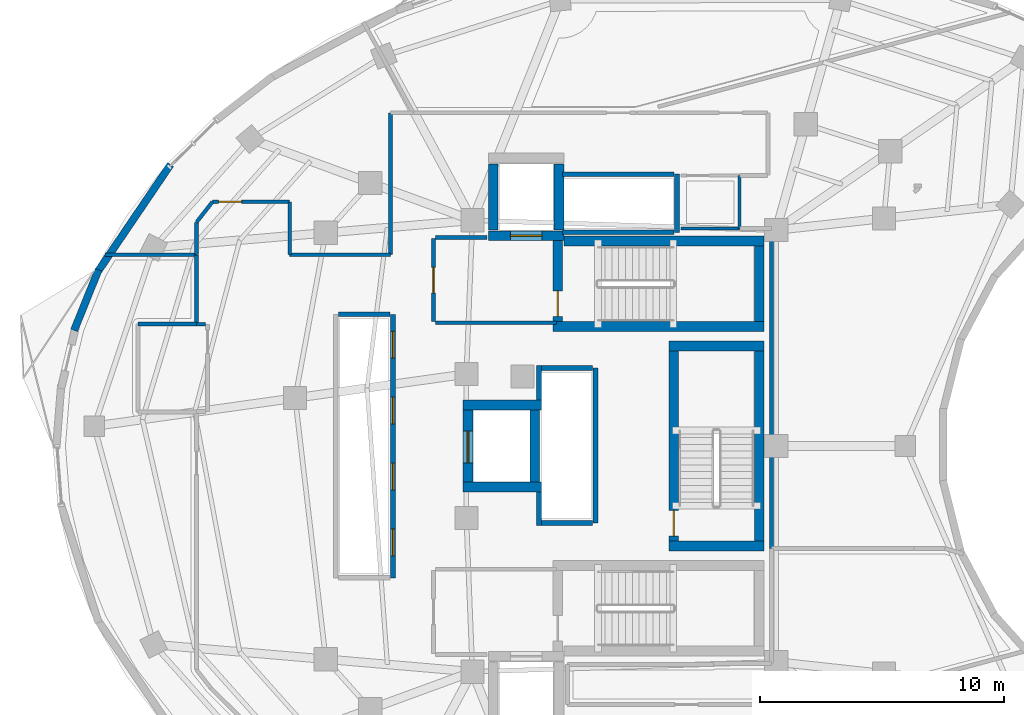
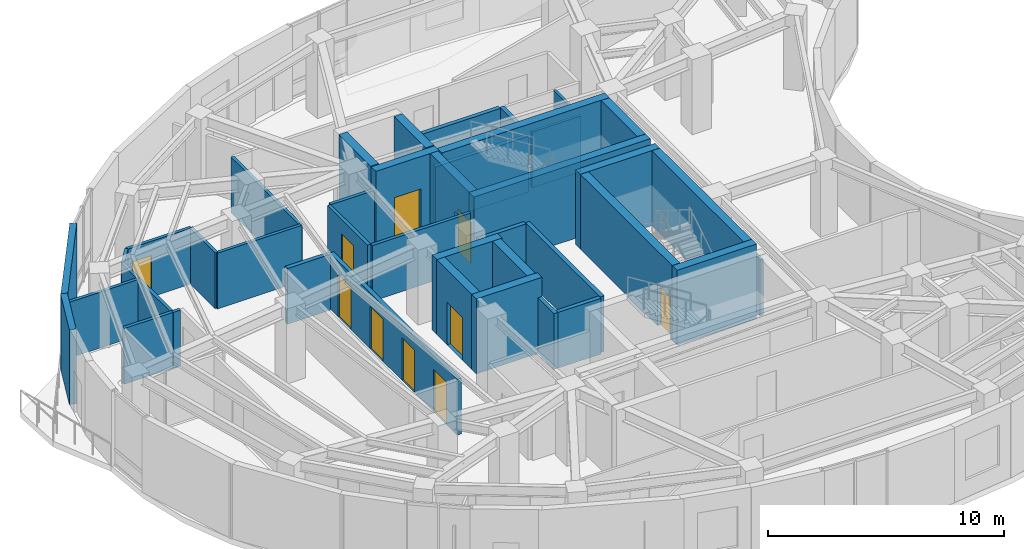
# One storey, part 8 of 13: 43 walls, 10 doors, 10 openings.
"""IFC4 building model written with IfcOpenShell, lengths in metres."""

from ifc_helpers import new_model, si_unit, direction, frame, frame_2d, origin, place, context, subcontext, project, spatial, rectangle, extrude, material, layer, layer_set, type_object, element, fill, save


model = new_model("IFC4")

# Units and contexts
model_context = context("Model", 3, precision=1e-05, world=origin(), true_north=direction((0.0, 1.0)))
body_context = subcontext(model_context, "Body", "Model", "MODEL_VIEW")
ifc_project = project(units=[si_unit("LENGTHUNIT", "METRE"), si_unit("AREAUNIT", "SQUARE_METRE"), si_unit("VOLUMEUNIT", "CUBIC_METRE"), si_unit("PLANEANGLEUNIT", "RADIAN"), si_unit("MASSUNIT", "GRAM", prefix="KILO")], contexts=[model_context])

# Site, building, storey
site_placement = place(None, origin())
site = spatial("IfcSite", under=ifc_project, at=site_placement, CompositionType="ELEMENT")
building_placement = place(site_placement, origin())
building = spatial("IfcBuilding", under=site, at=building_placement, Name="Korentha Bioscience Tower", CompositionType="ELEMENT")
storey_placement = place(building_placement, frame((0.0, 0.0, 273.0)))
storey = spatial("IfcBuildingStorey", under=building, at=storey_placement, Name="L63", CompositionType="ELEMENT", Elevation=273.0)

# Wall, opening, door
ifc_material_1 = material(Name="Double-Stud Acoustic Gypsum", Category="gypsum")
ifc_layer_1 = layer(ifc_material_1, 0.14990234375, Name="Double-Stud Acoustic Gypsum")
ifc_layer_set_1 = layer_set([ifc_layer_1], Name="Double-Stud Acoustic Gypsum (IW-L150)")
wall_type_1 = type_object("IfcWallType", Name="Acoustic Laboratory Partition Wall 150", PredefinedType="PARTITIONING", material=ifc_layer_set_1)
wall_1_placement = place(storey_placement, frame((17.60009765625, 37.010009765625, 0.0), z_axis=(0.0, 0.0, 1.0), x_axis=(-1.0, 0.0, 0.0)))
wall_1 = element("IfcWall", 1, at=wall_1_placement, inside=storey, type_object=wall_type_1, Name="L63 Sky-Garden Botanical Lounge 08 Entrance Wall", PredefinedType="PARTITIONING", context=body_context, shape_type="SweptSolid", body=[
    extrude(rectangle(XDim=3.1474609375, YDim=0.14990234375, at=frame_2d((1.57373046875, 0.0))), origin(), (0.0, 0.0, 1.0), 2.889892578125),
])
opening_1_placement = place(wall_1_placement, frame((1.957275390625, 0.0, 0.0)))
opening_1 = element("IfcOpeningElement", 2, at=opening_1_placement, cuts=wall_1, Name="Opening ID-10L", PredefinedType="OPENING", context=body_context, shape_type="SweptSolid", body=[
    extrude(rectangle(XDim=0.949951171875, YDim=2.14990234375, at=frame_2d((0.47509765625, 1.074951171875))), frame((0.0, 0.08984375, 0.0), z_axis=(0.0, -1.0, 0.0), x_axis=(1.0, 0.0, 0.0)), (0.0, 0.0, 1.0), 0.1796875),
])
ifc_material_2 = material(Name="Phenolic Laminate Timber Core", Category="wood")
door_type_1 = type_object("IfcDoorType", Name="Laboratory Single Leaf Door 950x2150 Left", OperationType="SINGLE_SWING_LEFT", PredefinedType="DOOR", material=ifc_material_2)
door_1_placement = place(opening_1_placement, origin())
door_1 = element("IfcDoor", 3, at=door_1_placement, inside=storey, type_object=door_type_1, Name="L63 Sky-Garden Botanical Lounge 08 Door", OperationType="SINGLE_SWING_LEFT", OverallHeight=2.14990234375, OverallWidth=0.949951171875, PredefinedType="DOOR", context=body_context, shape_type="SweptSolid", body=[
    extrude(rectangle(XDim=0.949951171875, YDim=2.14990234375, at=frame_2d((0.47509765625, 1.074951171875))), frame((0.0, 0.02490234375, 0.0), z_axis=(0.0, -1.0, 0.0), x_axis=(1.0, 0.0, 0.0)), (0.0, 0.0, 1.0), 0.050048828125),
])
fill(opening_1, door_1)

# Walls
wall_2_placement = place(storey_placement, frame((10.05078125, 34.8359375, 0.0), z_axis=(0.0, 0.0, 1.0), x_axis=(1.0, 0.0, 0.0)))
element("IfcWall", 4, at=wall_2_placement, inside=storey, type_object=wall_type_1, Name="L63 Interior Partition 043", PredefinedType="PARTITIONING", context=body_context, shape_type="SweptSolid", body=[
    extrude(rectangle(XDim=3.7392578125, YDim=0.14990234375, at=frame_2d((1.86962890625, 0.0))), origin(), (0.0, 0.0, 1.0), 2.889892578125),
])
wall_3_placement = place(storey_placement, frame((13.7900390625, 34.8359375, 0.0), z_axis=(0.0, 0.0, 1.0), x_axis=(0.0, -1.0, 0.0)))
element("IfcWall", 5, at=wall_3_placement, inside=storey, type_object=wall_type_1, Name="L63 Interior Partition 044", PredefinedType="PARTITIONING", context=body_context, shape_type="SweptSolid", body=[
    extrude(rectangle(XDim=2.825927734375, YDim=0.14990234375, at=frame_2d((1.4130859375, 0.0))), origin(), (0.0, 0.0, 1.0), 2.889892578125),
])
wall_4_placement = place(storey_placement, frame((21.739990234375, 40.64990234375, 0.0), z_axis=(0.0, 0.0, 1.0), x_axis=(0.0, -1.0, 0.0)))
element("IfcWall", 6, at=wall_4_placement, inside=storey, type_object=wall_type_1, Name="L63 Interior Partition 049", PredefinedType="PARTITIONING", context=body_context, shape_type="SweptSolid", body=[
    extrude(rectangle(XDim=5.807861328125, YDim=0.14990234375, at=frame_2d((2.90380859375, 0.0))), origin(), (0.0, 0.0, 1.0), 2.889892578125),
])
wall_5_placement = place(storey_placement, frame((21.739990234375, 34.842041015625, 0.0), z_axis=(0.0, 0.0, 1.0), x_axis=(-1.0, 0.0, 0.0)))
element("IfcWall", 7, at=wall_5_placement, inside=storey, type_object=wall_type_1, Name="L63 Interior Partition 050", PredefinedType="PARTITIONING", context=body_context, shape_type="SweptSolid", body=[
    extrude(rectangle(XDim=4.1298828125, YDim=0.14990234375, at=frame_2d((2.06494140625, 0.0))), origin(), (0.0, 0.0, 1.0), 2.889892578125),
])
wall_6_placement = place(storey_placement, frame((17.610107421875, 34.842041015625, 0.0), z_axis=(0.0, 0.0, 1.0), x_axis=(0.0, 1.0, 0.0)))
element("IfcWall", 8, at=wall_6_placement, inside=storey, type_object=wall_type_1, Name="L63 Interior Partition 051", PredefinedType="PARTITIONING", context=body_context, shape_type="SweptSolid", body=[
    extrude(rectangle(XDim=2.157958984375, YDim=0.14990234375, at=frame_2d((1.0791015625, 0.0))), origin(), (0.0, 0.0, 1.0), 2.889892578125),
])
wall_7_placement = place(storey_placement, frame((14.44482421875, 37.006103515625, 0.0), z_axis=(0.0, 0.0, 1.0), x_axis=(-0.615836200745, -0.787874211948, 0.0)))
element("IfcWall", 9, at=wall_7_placement, inside=storey, type_object=wall_type_1, Name="L63 Interior Partition 052", PredefinedType="PARTITIONING", context=body_context, shape_type="SweptSolid", body=[
    extrude(rectangle(XDim=1.06005859375, YDim=0.14990234375, at=frame_2d((0.530029296875, 0.0))), origin(), (0.0, 0.0, 1.0), 2.889892578125),
])
wall_8_placement = place(storey_placement, frame((13.7900390625, 36.164794921875, 0.0), z_axis=(0.0, 0.0, 1.0), x_axis=(0.0, -1.0, 0.0)))
element("IfcWall", 10, at=wall_8_placement, inside=storey, type_object=wall_type_1, Name="L63 Interior Partition 053", PredefinedType="PARTITIONING", context=body_context, shape_type="SweptSolid", body=[
    extrude(rectangle(XDim=1.31884765625, YDim=0.14990234375, at=frame_2d((0.659423828125, 0.0))), origin(), (0.0, 0.0, 1.0), 2.889892578125),
])

# Wall, opening, door
ifc_material_3 = material(Name="Gypsum-Clad Steel Stud", Category="steel")
ifc_layer_2 = layer(ifc_material_3, 0.159912109375, Name="Gypsum-Clad Steel Stud")
ifc_layer_set_2 = layer_set([ifc_layer_2], Name="Gypsum-Clad Steel Stud (IW-C160)")
wall_type_2 = type_object("IfcWallType", Name="Fire-Rated Corridor Partition Wall 160", PredefinedType="PARTITIONING", material=ifc_layer_set_2)
wall_9_placement = place(storey_placement, frame((23.5, 32.10009765625, 0.0), z_axis=(0.0, 0.0, 1.0), x_axis=(0.0, 1.0, 0.0)))
wall_9 = element("IfcWall", 11, at=wall_9_placement, inside=storey, type_object=wall_type_2, Name="L63 FFLN-CW Rated Enclosure Wall", PredefinedType="PARTITIONING", context=body_context, shape_type="SweptSolid", body=[
    extrude(rectangle(XDim=3.39990234375, YDim=0.159912109375, at=frame_2d((1.699951171875, 0.0))), origin(), (0.0, 0.0, 1.0), 2.889892578125),
])
opening_2_placement = place(wall_9_placement, frame((1.175048828125, 0.0, 0.0)))
opening_2 = element("IfcOpeningElement", 12, at=opening_2_placement, cuts=wall_9, Name="Opening FD-90R", PredefinedType="OPENING", context=body_context, shape_type="SweptSolid", body=[
    extrude(rectangle(XDim=1.050048828125, YDim=2.14990234375, at=frame_2d((0.52490234375, 1.074951171875))), frame((0.0, 0.0947265625, 0.0), z_axis=(0.0, -1.0, 0.0), x_axis=(1.0, 0.0, 0.0)), (0.0, 0.0, 1.0), 0.189697265625),
])
ifc_material_4 = material(Name="Powder-Coated Fire-Rated Steel", Category="steel")
door_type_2 = type_object("IfcDoorType", Name="Stairwell Fire Exit Door 1050x2150 Right", OperationType="SINGLE_SWING_RIGHT", PredefinedType="DOOR", material=ifc_material_4)
door_2_placement = place(opening_2_placement, origin())
door_2 = element("IfcDoor", 13, at=door_2_placement, inside=storey, type_object=door_type_2, Name="L63 North Firefighting Lobby Door", OperationType="SINGLE_SWING_RIGHT", OverallHeight=2.14990234375, OverallWidth=1.050048828125, PredefinedType="DOOR", context=body_context, shape_type="SweptSolid", body=[
    extrude(rectangle(XDim=1.050048828125, YDim=2.14990234375, at=frame_2d((0.52490234375, 1.074951171875))), frame((0.0, 0.02490234375, 0.0), z_axis=(0.0, -1.0, 0.0), x_axis=(1.0, 0.0, 0.0)), (0.0, 0.0, 1.0), 0.050048828125),
])
fill(opening_2, door_2)

# Walls
wall_10_placement = place(storey_placement, frame((23.580078125, 32.050048828125, 0.0), z_axis=(0.0, 0.0, 1.0), x_axis=(1.0, 0.0, 0.0)))
element("IfcWall", 14, at=wall_10_placement, inside=storey, type_object=wall_type_2, Name="L63 Firefighting Lobby Return Wall FFLN-S", PredefinedType="PARTITIONING", context=body_context, shape_type="SweptSolid", body=[
    extrude(rectangle(XDim=4.969970703125, YDim=0.159912109375, at=frame_2d((2.48486328125, 0.0))), origin(), (0.0, 0.0, 1.0), 2.889892578125),
])
wall_11_placement = place(storey_placement, frame((23.580078125, 35.550048828125, 0.0), z_axis=(0.0, 0.0, 1.0), x_axis=(1.0, 0.0, 0.0)))
element("IfcWall", 15, at=wall_11_placement, inside=storey, type_object=wall_type_2, Name="L63 Firefighting Lobby Return Wall FFLN-N", PredefinedType="PARTITIONING", context=body_context, shape_type="SweptSolid", body=[
    extrude(rectangle(XDim=2.119873046875, YDim=0.159912109375, at=frame_2d((1.06005859375, 0.0))), origin(), (0.0, 0.0, 1.0), 2.889892578125),
])
wall_12_placement = place(storey_placement, frame((13.800048828125, 31.989990234375, 0.0), z_axis=(0.0, 0.0, 1.0), x_axis=(1.0, 0.0, 0.0)))
element("IfcWall", 16, at=wall_12_placement, inside=storey, type_object=wall_type_2, Name="L63 Interior Partition 013", PredefinedType="PARTITIONING", context=body_context, shape_type="SweptSolid", body=[
    extrude(rectangle(XDim=0.35693359375, YDim=0.159912109375, at=frame_2d((0.178466796875, 0.0))), origin(), (0.0, 0.0, 1.0), 2.889892578125),
])
wall_13_placement = place(storey_placement, frame((11.39990234375, 32.0, 0.0), z_axis=(0.0, 0.0, 1.0), x_axis=(1.0, 0.0, 0.0)))
element("IfcWall", 17, at=wall_13_placement, inside=storey, type_object=wall_type_2, Name="L63 Interior Partition 017", PredefinedType="PARTITIONING", context=body_context, shape_type="SweptSolid", body=[
    extrude(rectangle(XDim=2.39013671875, YDim=0.159912109375, at=frame_2d((1.195068359375, 0.0))), origin(), (0.0, 0.0, 1.0), 2.889892578125),
])
wall_14_placement = place(storey_placement, frame((37.360107421875, 22.80810546875, 0.0), z_axis=(0.0, 0.0, 1.0), x_axis=(0.0, 1.0, 0.0)))
element("IfcWall", 18, at=wall_14_placement, inside=storey, type_object=wall_type_2, Name="L63 Interior Partition 037", PredefinedType="PARTITIONING", context=body_context, shape_type="SweptSolid", body=[
    extrude(rectangle(XDim=13.091796875, YDim=0.159912109375, at=frame_2d((6.5458984375, 0.0))), origin(), (0.0, 0.0, 1.0), 2.889892578125),
])
ifc_material_5 = material(Name="Honed Limestone Precast Concrete C40", Category="masonry")
ifc_layer_3 = layer(ifc_material_5, 0.300048828125, Name="Honed Limestone Precast Concrete C40")
ifc_layer_set_3 = layer_set([ifc_layer_3], Name="Honed Limestone Precast Concrete C40 (EW-ST300)")
wall_type_3 = type_object("IfcWallType", Name="Honed Limestone Cavity Spandrel Wall 300", PredefinedType="STANDARD", material=ifc_layer_set_3)
wall_15_placement = place(storey_placement, frame((12.72509765625, 38.533935546875, 0.0), z_axis=(0.0, 0.0, 1.0), x_axis=(-0.561547791281, -0.827444305139, 0.0)))
element("IfcWall", 19, at=wall_15_placement, inside=storey, type_object=wall_type_3, Name="L63 Limestone Perimeter Closure Wall 14", PredefinedType="STANDARD", context=body_context, shape_type="SweptSolid", body=[
    extrude(rectangle(XDim=5.4072265625, YDim=0.300048828125, at=frame_2d((2.70361328125, 0.0))), origin(), (0.0, 0.0, 1.0), 3.8798828125),
])
wall_16_placement = place(storey_placement, frame((9.777587890625, 34.2265625, 0.0), z_axis=(0.0, 0.0, 1.0), x_axis=(-0.373974639596, -0.927438930032, 0.0)))
element("IfcWall", 20, at=wall_16_placement, inside=storey, type_object=wall_type_3, Name="L63 Limestone Perimeter Closure Wall 16", PredefinedType="STANDARD", context=body_context, shape_type="SweptSolid", body=[
    extrude(rectangle(XDim=2.686279296875, YDim=0.300048828125, at=frame_2d((1.34326171875, 0.0))), origin(), (0.0, 0.0, 1.0), 3.8798828125),
])

# Wall, openings, doors
ifc_material_6 = material(Name="Autoclaved Aerated Concrete Block C25", Category="concrete")
ifc_layer_4 = layer(ifc_material_6, 0.199951171875, Name="Autoclaved Aerated Concrete Block C25")
ifc_layer_set_4 = layer_set([ifc_layer_4], Name="Autoclaved Aerated Concrete Block C25 (IW-S200)")
wall_type_4 = type_object("IfcWallType", Name="Lift and Riser Shaft Enclosure Wall 200", PredefinedType="PARTITIONING", material=ifc_layer_set_4)
wall_17_placement = place(storey_placement, frame((21.85009765625, 21.60009765625, 0.0), z_axis=(0.0, 0.0, 1.0), x_axis=(0.0, 1.0, 0.0)))
wall_17 = element("IfcWall", 21, at=wall_17_placement, inside=storey, type_object=wall_type_4, Name="L63 Lift Bank MID Shaft Wall +X", PredefinedType="PARTITIONING", context=body_context, shape_type="SweptSolid", body=[
    extrude(rectangle(XDim=10.7998046875, YDim=0.199951171875, at=frame_2d((5.39990234375, 0.0))), origin(), (0.0, 0.0, 1.0), 2.889892578125),
])
opening_3_placement = place(wall_17_placement, frame((0.89990234375, 0.0, 0.0)))
opening_3 = element("IfcOpeningElement", 22, at=opening_3_placement, cuts=wall_17, Name="Opening LD-11", PredefinedType="OPENING", context=body_context, shape_type="SweptSolid", body=[
    extrude(rectangle(XDim=1.10009765625, YDim=2.199951171875, at=frame_2d((0.550048828125, 1.10009765625))), frame((0.0, 0.11474609375, 0.0), z_axis=(0.0, -1.0, 0.0), x_axis=(1.0, 0.0, 0.0)), (0.0, 0.0, 1.0), 0.229736328125),
])
opening_4_placement = place(wall_17_placement, frame((3.60009765625, 0.0, 0.0)))
opening_4 = element("IfcOpeningElement", 23, at=opening_4_placement, cuts=wall_17, Name="Opening LD-11", PredefinedType="OPENING", context=body_context, shape_type="SweptSolid", body=[
    extrude(rectangle(XDim=1.10009765625, YDim=2.199951171875, at=frame_2d((0.550048828125, 1.10009765625))), frame((0.0, 0.11474609375, 0.0), z_axis=(0.0, -1.0, 0.0), x_axis=(1.0, 0.0, 0.0)), (0.0, 0.0, 1.0), 0.229736328125),
])
opening_5_placement = place(wall_17_placement, frame((6.300048828125, 0.0, 0.0)))
opening_5 = element("IfcOpeningElement", 24, at=opening_5_placement, cuts=wall_17, Name="Opening LD-11", PredefinedType="OPENING", context=body_context, shape_type="SweptSolid", body=[
    extrude(rectangle(XDim=1.10009765625, YDim=2.199951171875, at=frame_2d((0.550048828125, 1.10009765625))), frame((0.0, 0.11474609375, 0.0), z_axis=(0.0, -1.0, 0.0), x_axis=(1.0, 0.0, 0.0)), (0.0, 0.0, 1.0), 0.229736328125),
])
opening_6_placement = place(wall_17_placement, frame((9.0, 0.0, 0.0)))
opening_6 = element("IfcOpeningElement", 25, at=opening_6_placement, cuts=wall_17, Name="Opening LD-11", PredefinedType="OPENING", context=body_context, shape_type="SweptSolid", body=[
    extrude(rectangle(XDim=1.10009765625, YDim=2.199951171875, at=frame_2d((0.550048828125, 1.10009765625))), frame((0.0, 0.11474609375, 0.0), z_axis=(0.0, -1.0, 0.0), x_axis=(1.0, 0.0, 0.0)), (0.0, 0.0, 1.0), 0.229736328125),
])
ifc_material_7 = material(Name="Brushed Stainless Steel 304", Category="steel")
door_type_3 = type_object("IfcDoorType", Name="Passenger Lift Sliding Landing Door 1100x2200", OperationType="DOUBLE_DOOR_SLIDING", PredefinedType="DOOR", material=ifc_material_7)
door_3_placement = place(opening_3_placement, origin())
door_3 = element("IfcDoor", 26, at=door_3_placement, inside=storey, type_object=door_type_3, Name="L63 PL-M1 Sliding Lift Landing Door", OperationType="DOUBLE_DOOR_SLIDING", OverallHeight=2.199951171875, OverallWidth=1.10009765625, PredefinedType="DOOR", context=body_context, shape_type="SweptSolid", body=[
    extrude(rectangle(XDim=1.10009765625, YDim=2.199951171875, at=frame_2d((0.550048828125, 1.10009765625))), frame((0.0, 0.02490234375, 0.0), z_axis=(0.0, -1.0, 0.0), x_axis=(1.0, 0.0, 0.0)), (0.0, 0.0, 1.0), 0.050048828125),
])
fill(opening_3, door_3)
door_4_placement = place(opening_4_placement, origin())
door_4 = element("IfcDoor", 27, at=door_4_placement, inside=storey, type_object=door_type_3, Name="L63 PL-M2 Sliding Lift Landing Door", OperationType="DOUBLE_DOOR_SLIDING", OverallHeight=2.199951171875, OverallWidth=1.10009765625, PredefinedType="DOOR", context=body_context, shape_type="SweptSolid", body=[
    extrude(rectangle(XDim=1.10009765625, YDim=2.199951171875, at=frame_2d((0.550048828125, 1.10009765625))), frame((0.0, 0.02490234375, 0.0), z_axis=(0.0, -1.0, 0.0), x_axis=(1.0, 0.0, 0.0)), (0.0, 0.0, 1.0), 0.050048828125),
])
fill(opening_4, door_4)
door_5_placement = place(opening_5_placement, origin())
door_5 = element("IfcDoor", 28, at=door_5_placement, inside=storey, type_object=door_type_3, Name="L63 PL-M3 Sliding Lift Landing Door", OperationType="DOUBLE_DOOR_SLIDING", OverallHeight=2.199951171875, OverallWidth=1.10009765625, PredefinedType="DOOR", context=body_context, shape_type="SweptSolid", body=[
    extrude(rectangle(XDim=1.10009765625, YDim=2.199951171875, at=frame_2d((0.550048828125, 1.10009765625))), frame((0.0, 0.02490234375, 0.0), z_axis=(0.0, -1.0, 0.0), x_axis=(1.0, 0.0, 0.0)), (0.0, 0.0, 1.0), 0.050048828125),
])
fill(opening_5, door_5)
door_6_placement = place(opening_6_placement, origin())
door_6 = element("IfcDoor", 29, at=door_6_placement, inside=storey, type_object=door_type_3, Name="L63 PL-M4 Sliding Lift Landing Door", OperationType="DOUBLE_DOOR_SLIDING", OverallHeight=2.199951171875, OverallWidth=1.10009765625, PredefinedType="DOOR", context=body_context, shape_type="SweptSolid", body=[
    extrude(rectangle(XDim=1.10009765625, YDim=2.199951171875, at=frame_2d((0.550048828125, 1.10009765625))), frame((0.0, 0.02490234375, 0.0), z_axis=(0.0, -1.0, 0.0), x_axis=(1.0, 0.0, 0.0)), (0.0, 0.0, 1.0), 0.050048828125),
])
fill(opening_6, door_6)

# Walls
wall_18_placement = place(storey_placement, frame((19.6201171875, 32.39990234375, 0.0), z_axis=(0.0, 0.0, 1.0), x_axis=(1.0, 0.0, 0.0)))
element("IfcWall", 30, at=wall_18_placement, inside=storey, type_object=wall_type_4, Name="L63 Lift Bank MID Shaft Wall +Y", PredefinedType="PARTITIONING", context=body_context, shape_type="SweptSolid", body=[
    extrude(rectangle(XDim=2.10986328125, YDim=0.199951171875, at=frame_2d((1.054931640625, 0.0))), origin(), (0.0, 0.0, 1.0), 2.889892578125),
])
wall_19_placement = place(storey_placement, frame((27.830078125, 23.75, 0.0), z_axis=(0.0, 0.0, 1.0), x_axis=(0.0, 1.0, 0.0)))
element("IfcWall", 31, at=wall_19_placement, inside=storey, type_object=wall_type_4, Name="L63 Lift Bank HIGH Shaft Wall -XS", PredefinedType="PARTITIONING", context=body_context, shape_type="SweptSolid", body=[
    extrude(rectangle(XDim=1.365966796875, YDim=0.199951171875, at=frame_2d((0.68310546875, 0.0))), origin(), (0.0, 0.0, 1.0), 2.889892578125),
])
wall_20_placement = place(storey_placement, frame((27.830078125, 28.884033203125, 0.0), z_axis=(0.0, 0.0, 1.0), x_axis=(0.0, 1.0, 0.0)))
element("IfcWall", 32, at=wall_20_placement, inside=storey, type_object=wall_type_4, Name="L63 Lift Bank HIGH Shaft Wall -XN", PredefinedType="PARTITIONING", context=body_context, shape_type="SweptSolid", body=[
    extrude(rectangle(XDim=1.416015625, YDim=0.199951171875, at=frame_2d((0.7080078125, 0.0))), origin(), (0.0, 0.0, 1.0), 2.889892578125),
])
wall_21_placement = place(storey_placement, frame((30.14990234375, 23.85009765625, 0.0), z_axis=(0.0, 0.0, 1.0), x_axis=(0.0, 1.0, 0.0)))
element("IfcWall", 33, at=wall_21_placement, inside=storey, type_object=wall_type_4, Name="L63 Lift Bank HIGH Shaft Wall +X", PredefinedType="PARTITIONING", context=body_context, shape_type="SweptSolid", body=[
    extrude(rectangle(XDim=6.349853515625, YDim=0.199951171875, at=frame_2d((3.1748046875, 0.0))), origin(), (0.0, 0.0, 1.0), 2.889892578125),
])
for number, where, z_axis, x_axis, name in (
    (34, (27.93408203125, 23.85009765625, 0.0), (0.0, 0.0, 1.0), (1.0, 0.0, 0.0), "L63 Lift Bank HIGH Shaft Wall -Y"),
    (35, (27.93408203125, 30.199951171875, 0.0), (0.0, 0.0, 1.0), (1.0, 0.0, 0.0), "L63 Lift Bank HIGH Shaft Wall +Y"),
):
    element("IfcWall", number, at=place(storey_placement, frame(where, z_axis=z_axis, x_axis=x_axis)), inside=storey, type_object=wall_type_4, Name=name, PredefinedType="PARTITIONING", context=body_context, shape_type="SweptSolid", body=[
        extrude(rectangle(XDim=2.095947265625, YDim=0.199951171875, at=frame_2d((1.0478515625, 0.0))), origin(), (0.0, 0.0, 1.0), 2.889892578125),
    ])
wall_22_placement = place(storey_placement, frame((33.489990234375, 35.760009765625, 0.0), z_axis=(0.0, 0.0, 1.0), x_axis=(0.0, 1.0, 0.0)))
element("IfcWall", 36, at=wall_22_placement, inside=storey, type_object=wall_type_4, Name="L63 Lift Bank OBS Shaft Wall +X", PredefinedType="PARTITIONING", context=body_context, shape_type="SweptSolid", body=[
    extrude(rectangle(XDim=2.3798828125, YDim=0.199951171875, at=frame_2d((1.18994140625, 0.0))), origin(), (0.0, 0.0, 1.0), 2.889892578125),
])
for number, where, z_axis, x_axis, name in (
    (37, (28.800048828125, 35.760009765625, 0.0), (0.0, 0.0, 1.0), (1.0, 0.0, 0.0), "L63 Lift Bank OBS Shaft Wall -Y"),
    (38, (28.800048828125, 38.139892578125, 0.0), (0.0, 0.0, 1.0), (1.0, 0.0, 0.0), "L63 Lift Bank OBS Shaft Wall +Y"),
):
    element("IfcWall", number, at=place(storey_placement, frame(where, z_axis=z_axis, x_axis=x_axis)), inside=storey, type_object=wall_type_4, Name=name, PredefinedType="PARTITIONING", context=body_context, shape_type="SweptSolid", body=[
        extrude(rectangle(XDim=4.570068359375, YDim=0.199951171875, at=frame_2d((2.28515625, 0.0))), origin(), (0.0, 0.0, 1.0), 2.889892578125),
    ])
ifc_material_8 = material(Name="Concrete C65", Category="concrete")
ifc_layer_5 = layer(ifc_material_8, 0.39990234375, Name="Concrete C65")
ifc_layer_set_5 = layer_set([ifc_layer_5], Name="Concrete C65 (CW-C65)")
wall_type_5 = type_object("IfcWallType", Name="Mid-Rise Core Shear Wall 400", PredefinedType="SHEAR", material=ifc_layer_set_5)
wall_23_placement = place(storey_placement, frame((28.85205078125, 35.39990234375, 0.0), z_axis=(0.0, 0.0, 1.0), x_axis=(1.0, 0.0, 0.0)))
element("IfcWall", 39, at=wall_23_placement, inside=storey, type_object=wall_type_5, Name="L63 Core Shear Wall ST1-N", PredefinedType="SHEAR", context=body_context, shape_type="SweptSolid", body=[
    extrude(rectangle(XDim=8.197998046875, YDim=0.39990234375, at=frame_2d((4.09912109375, 0.0))), origin(), (0.0, 0.0, 1.0), 3.8798828125),
])
wall_24_placement = place(storey_placement, frame((28.39990234375, 31.89990234375, 0.0), z_axis=(0.0, 0.0, 1.0), x_axis=(1.0, 0.0, 0.0)))
element("IfcWall", 40, at=wall_24_placement, inside=storey, type_object=wall_type_5, Name="L63 Core Shear Wall ST1-S", PredefinedType="SHEAR", context=body_context, shape_type="SweptSolid", body=[
    extrude(rectangle(XDim=8.650146484375, YDim=0.39990234375, at=frame_2d((4.3251953125, 0.0))), origin(), (0.0, 0.0, 1.0), 3.8798828125),
])
wall_25_placement = place(storey_placement, frame((36.85009765625, 32.110107421875, 0.0), z_axis=(0.0, 0.0, 1.0), x_axis=(0.0, 1.0, 0.0)))
element("IfcWall", 41, at=wall_25_placement, inside=storey, type_object=wall_type_5, Name="L63 Core Shear Wall ST1-E", PredefinedType="SHEAR", context=body_context, shape_type="SweptSolid", body=[
    extrude(rectangle(XDim=3.079833984375, YDim=0.39990234375, at=frame_2d((1.5400390625, 0.0))), origin(), (0.0, 0.0, 1.0), 3.8798828125),
])

# Wall, opening, door
wall_26_placement = place(storey_placement, frame((28.60009765625, 32.110107421875, 0.0), z_axis=(0.0, 0.0, 1.0), x_axis=(0.0, 1.0, 0.0)))
wall_26 = element("IfcWall", 42, at=wall_26_placement, inside=storey, type_object=wall_type_5, Name="L63 Core Shear Wall ST1-W", PredefinedType="SHEAR", context=body_context, shape_type="SweptSolid", body=[
    extrude(rectangle(XDim=3.307861328125, YDim=0.39990234375, at=frame_2d((1.65380859375, 0.0))), origin(), (0.0, 0.0, 1.0), 3.8798828125),
])
opening_7_placement = place(wall_26_placement, frame((0.199951171875, 0.0, 0.0)))
opening_7 = element("IfcOpeningElement", 43, at=opening_7_placement, cuts=wall_26, Name="Opening FD-90R", PredefinedType="OPENING", context=body_context, shape_type="SweptSolid", body=[
    extrude(rectangle(XDim=1.050048828125, YDim=2.14990234375, at=frame_2d((0.52490234375, 1.074951171875))), frame((0.0, 0.21484375, 0.0), z_axis=(0.0, -1.0, 0.0), x_axis=(1.0, 0.0, 0.0)), (0.0, 0.0, 1.0), 0.4296875),
])
door_7_placement = place(opening_7_placement, origin())
door_7 = element("IfcDoor", 44, at=door_7_placement, inside=storey, type_object=door_type_2, Name="L63 ST-1 Fire Exit Stair Door", OperationType="SINGLE_SWING_RIGHT", OverallHeight=2.14990234375, OverallWidth=1.050048828125, PredefinedType="DOOR", context=body_context, shape_type="SweptSolid", body=[
    extrude(rectangle(XDim=1.050048828125, YDim=2.14990234375, at=frame_2d((0.52490234375, 1.074951171875))), frame((0.0, 0.02490234375, 0.0), z_axis=(0.0, -1.0, 0.0), x_axis=(1.0, 0.0, 0.0)), (0.0, 0.0, 1.0), 0.050048828125),
])
fill(opening_7, door_7)

# Walls
for number, where, z_axis, x_axis, name in (
    (45, (33.14990234375, 31.10009765625, 0.0), (0.0, 0.0, 1.0), (1.0, 0.0, 0.0), "L63 Core Shear Wall ST3-N"),
    (46, (33.14990234375, 22.89990234375, 0.0), (0.0, 0.0, 1.0), (1.0, 0.0, 0.0), "L63 Core Shear Wall ST3-S"),
):
    element("IfcWall", number, at=place(storey_placement, frame(where, z_axis=z_axis, x_axis=x_axis)), inside=storey, type_object=wall_type_5, Name=name, PredefinedType="SHEAR", context=body_context, shape_type="SweptSolid", body=[
        extrude(rectangle(XDim=3.900146484375, YDim=0.39990234375, at=frame_2d((1.9501953125, 0.0))), origin(), (0.0, 0.0, 1.0), 3.8798828125),
    ])
wall_27_placement = place(storey_placement, frame((36.85009765625, 23.110107421875, 0.0), z_axis=(0.0, 0.0, 1.0), x_axis=(0.0, 1.0, 0.0)))
element("IfcWall", 47, at=wall_27_placement, inside=storey, type_object=wall_type_5, Name="L63 Core Shear Wall ST3-E", PredefinedType="SHEAR", context=body_context, shape_type="SweptSolid", body=[
    extrude(rectangle(XDim=7.77978515625, YDim=0.39990234375, at=frame_2d((3.889892578125, 0.0))), origin(), (0.0, 0.0, 1.0), 3.8798828125),
])

# Wall, opening, door
wall_28_placement = place(storey_placement, frame((33.35009765625, 23.110107421875, 0.0), z_axis=(0.0, 0.0, 1.0), x_axis=(0.0, 1.0, 0.0)))
wall_28 = element("IfcWall", 48, at=wall_28_placement, inside=storey, type_object=wall_type_5, Name="L63 Core Shear Wall ST3-W", PredefinedType="SHEAR", context=body_context, shape_type="SweptSolid", body=[
    extrude(rectangle(XDim=7.77978515625, YDim=0.39990234375, at=frame_2d((3.889892578125, 0.0))), origin(), (0.0, 0.0, 1.0), 3.8798828125),
])
opening_8_placement = place(wall_28_placement, frame((0.199951171875, 0.0, 0.0)))
opening_8 = element("IfcOpeningElement", 49, at=opening_8_placement, cuts=wall_28, Name="Opening FD-90R", PredefinedType="OPENING", context=body_context, shape_type="SweptSolid", body=[
    extrude(rectangle(XDim=1.050048828125, YDim=2.14990234375, at=frame_2d((0.52490234375, 1.074951171875))), frame((0.0, 0.21484375, 0.0), z_axis=(0.0, -1.0, 0.0), x_axis=(1.0, 0.0, 0.0)), (0.0, 0.0, 1.0), 0.4296875),
])
door_8_placement = place(opening_8_placement, origin())
door_8 = element("IfcDoor", 50, at=door_8_placement, inside=storey, type_object=door_type_2, Name="L63 ST-3 Fire Exit Stair Door", OperationType="SINGLE_SWING_RIGHT", OverallHeight=2.14990234375, OverallWidth=1.050048828125, PredefinedType="DOOR", context=body_context, shape_type="SweptSolid", body=[
    extrude(rectangle(XDim=1.050048828125, YDim=2.14990234375, at=frame_2d((0.52490234375, 1.074951171875))), frame((0.0, 0.02490234375, 0.0), z_axis=(0.0, -1.0, 0.0), x_axis=(1.0, 0.0, 0.0)), (0.0, 0.0, 1.0), 0.050048828125),
])
fill(opening_8, door_8)

wall_29_placement = place(storey_placement, frame((25.75, 35.6201171875, 0.0), z_axis=(0.0, 0.0, 1.0), x_axis=(1.0, 0.0, 0.0)))
wall_29 = element("IfcWall", 51, at=wall_29_placement, inside=storey, type_object=wall_type_5, Name="L63 Core Shear Wall FFL2-S", PredefinedType="SHEAR", context=body_context, shape_type="SweptSolid", body=[
    extrude(rectangle(XDim=3.10009765625, YDim=0.39990234375, at=frame_2d((1.550048828125, 0.0))), origin(), (0.0, 0.0, 1.0), 3.8798828125),
])
opening_9_placement = place(wall_29_placement, frame((0.89990234375, 0.0, 0.0)))
opening_9 = element("IfcOpeningElement", 52, at=opening_9_placement, cuts=wall_29, Name="Opening LD-13", PredefinedType="OPENING", context=body_context, shape_type="SweptSolid", body=[
    extrude(rectangle(XDim=1.300048828125, YDim=2.199951171875, at=frame_2d((0.64990234375, 1.10009765625))), frame((0.0, 0.21484375, 0.0), z_axis=(0.0, -1.0, 0.0), x_axis=(1.0, 0.0, 0.0)), (0.0, 0.0, 1.0), 0.4296875),
])
ifc_material_9 = material(Name="Brushed Stainless Steel 316", Category="steel")
door_type_4 = type_object("IfcDoorType", Name="Service & Firefighting Lift Landing Door 1300x2300", OperationType="DOUBLE_DOOR_SLIDING", PredefinedType="DOOR", material=ifc_material_9)
door_9_placement = place(opening_9_placement, origin())
door_9 = element("IfcDoor", 53, at=door_9_placement, inside=storey, type_object=door_type_4, Name="L63 FFL-2 Sliding Lift Landing Door", OperationType="DOUBLE_DOOR_SLIDING", OverallHeight=2.199951171875, OverallWidth=1.300048828125, PredefinedType="DOOR", context=body_context, shape_type="SweptSolid", body=[
    extrude(rectangle(XDim=1.300048828125, YDim=2.199951171875, at=frame_2d((0.64990234375, 1.10009765625))), frame((0.0, 0.02490234375, 0.0), z_axis=(0.0, -1.0, 0.0), x_axis=(1.0, 0.0, 0.0)), (0.0, 0.0, 1.0), 0.050048828125),
])
fill(opening_9, door_9)

# Walls
for number, where, z_axis, x_axis, name in (
    (54, (25.949951171875, 35.860107421875, 0.0), (0.0, 0.0, 1.0), (0.0, 1.0, 0.0), "L63 Core Shear Wall FFL2-W"),
    (55, (28.64990234375, 35.860107421875, 0.0), (0.0, 0.0, 1.0), (0.0, 1.0, 0.0), "L63 Core Shear Wall FFL2-E"),
):
    element("IfcWall", number, at=place(storey_placement, frame(where, z_axis=z_axis, x_axis=x_axis)), inside=storey, type_object=wall_type_5, Name=name, PredefinedType="SHEAR", context=body_context, shape_type="SweptSolid", body=[
        extrude(rectangle(XDim=2.699951171875, YDim=0.39990234375, at=frame_2d((1.35009765625, 0.0))), origin(), (0.0, 0.0, 1.0), 3.8798828125),
    ])
for number, where, z_axis, x_axis, name in (
    (56, (24.719970703125, 28.679931640625, 0.0), (0.0, 0.0, 1.0), (1.0, 0.0, 0.0), "L63 Core Shear Wall SVL1-N"),
    (57, (24.719970703125, 25.320068359375, 0.0), (0.0, 0.0, 1.0), (1.0, 0.0, 0.0), "L63 Core Shear Wall SVL1-S"),
):
    element("IfcWall", number, at=place(storey_placement, frame(where, z_axis=z_axis, x_axis=x_axis)), inside=storey, type_object=wall_type_5, Name=name, PredefinedType="SHEAR", context=body_context, shape_type="SweptSolid", body=[
        extrude(rectangle(XDim=3.2099609375, YDim=0.39990234375, at=frame_2d((1.60498046875, 0.0))), origin(), (0.0, 0.0, 1.0), 3.8798828125),
    ])

# Wall, opening, door
wall_30_placement = place(storey_placement, frame((24.919921875, 25.52197265625, 0.0), z_axis=(0.0, 0.0, 1.0), x_axis=(0.0, 1.0, 0.0)))
wall_30 = element("IfcWall", 58, at=wall_30_placement, inside=storey, type_object=wall_type_5, Name="L63 Core Shear Wall SVL1-W", PredefinedType="SHEAR", context=body_context, shape_type="SweptSolid", body=[
    extrude(rectangle(XDim=2.9560546875, YDim=0.39990234375, at=frame_2d((1.47802734375, 0.0))), origin(), (0.0, 0.0, 1.0), 3.8798828125),
])
opening_10_placement = place(wall_30_placement, frame((0.7900390625, 0.0, 0.0)))
opening_10 = element("IfcOpeningElement", 59, at=opening_10_placement, cuts=wall_30, Name="Opening LD-13", PredefinedType="OPENING", context=body_context, shape_type="SweptSolid", body=[
    extrude(rectangle(XDim=1.300048828125, YDim=2.199951171875, at=frame_2d((0.64990234375, 1.10009765625))), frame((0.0, 0.21484375, 0.0), z_axis=(0.0, -1.0, 0.0), x_axis=(1.0, 0.0, 0.0)), (0.0, 0.0, 1.0), 0.4296875),
])
door_10_placement = place(opening_10_placement, origin())
door_10 = element("IfcDoor", 60, at=door_10_placement, inside=storey, type_object=door_type_4, Name="L63 SVL-1 Sliding Lift Landing Door", OperationType="DOUBLE_DOOR_SLIDING", OverallHeight=2.199951171875, OverallWidth=1.300048828125, PredefinedType="DOOR", context=body_context, shape_type="SweptSolid", body=[
    extrude(rectangle(XDim=1.300048828125, YDim=2.199951171875, at=frame_2d((0.64990234375, 1.10009765625))), frame((0.0, 0.02490234375, 0.0), z_axis=(0.0, -1.0, 0.0), x_axis=(1.0, 0.0, 0.0)), (0.0, 0.0, 1.0), 0.050048828125),
])
fill(opening_10, door_10)

# Walls
wall_31_placement = place(storey_placement, frame((27.64990234375, 25.52197265625, 0.0), z_axis=(0.0, 0.0, 1.0), x_axis=(0.0, 1.0, 0.0)))
element("IfcWall", 61, at=wall_31_placement, inside=storey, type_object=wall_type_5, Name="L63 Core Shear Wall SVL1-E", PredefinedType="SHEAR", context=body_context, shape_type="SweptSolid", body=[
    extrude(rectangle(XDim=2.9560546875, YDim=0.39990234375, at=frame_2d((1.47802734375, 0.0))), origin(), (0.0, 0.0, 1.0), 3.8798828125),
])
ifc_material_10 = material(Name="Cement-Board Steel Stud", Category="steel")
ifc_layer_6 = layer(ifc_material_10, 0.1298828125, Name="Cement-Board Steel Stud")
ifc_layer_set_6 = layer_set([ifc_layer_6], Name="Cement-Board Steel Stud (IW-W130)")
wall_type_6 = type_object("IfcWallType", Name="Wet-Area Moisture-Resistant Partition 130", PredefinedType="PARTITIONING", material=ifc_layer_set_6)
wall_32_placement = place(storey_placement, frame((36.050048828125, 35.909912109375, 0.0), z_axis=(0.0, 0.0, 1.0), x_axis=(-1.0, 0.0, 0.0)))
element("IfcWall", 62, at=wall_32_placement, inside=storey, type_object=wall_type_6, Name="L63 Interior Partition 011", PredefinedType="PARTITIONING", context=body_context, shape_type="SweptSolid", body=[
    extrude(rectangle(XDim=2.400146484375, YDim=0.1298828125, at=frame_2d((1.2001953125, 0.0))), origin(), (0.0, 0.0, 1.0), 2.889892578125),
])
wall_33_placement = place(storey_placement, frame((36.050048828125, 38.090087890625, 0.0), z_axis=(0.0, 0.0, 1.0), x_axis=(0.0, -1.0, 0.0)))
element("IfcWall", 63, at=wall_33_placement, inside=storey, type_object=wall_type_6, Name="L63 Interior Partition 012", PredefinedType="PARTITIONING", context=body_context, shape_type="SweptSolid", body=[
    extrude(rectangle(XDim=2.18017578125, YDim=0.1298828125, at=frame_2d((1.090087890625, 0.0))), origin(), (0.0, 0.0, 1.0), 2.889892578125),
])

save(model, "model.ifc")
